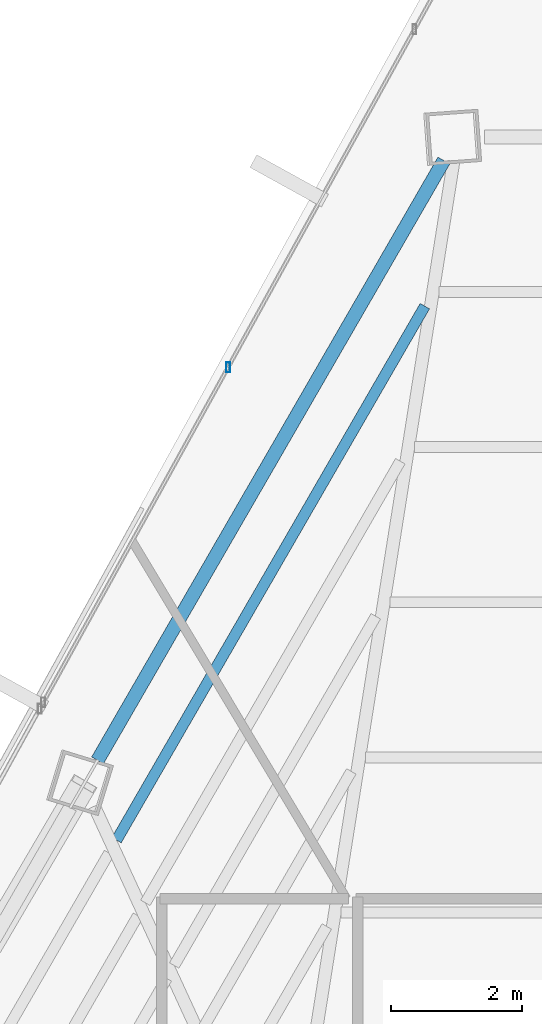
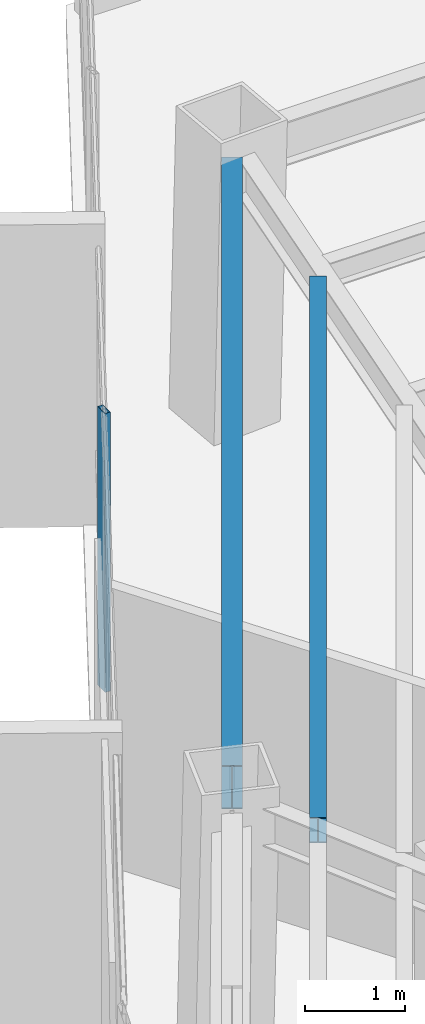
# One storey, part 29 of 41: 2 beams, 1 member, 1 element without a shape of its own.
"""IFC4 building model written with IfcOpenShell, lengths in metres."""

from ifc_helpers import new_model, si_unit, direction, frame, origin, origin_2d, place, context, subcontext, project, spatial, hollow_rectangle, i_section, extrude, source, transform, mapped, material, material_profile, profile_set, type_object, type_shapes, element, aggregate, save


model = new_model("IFC4")

# Units and contexts
model_context = context("Model", 3, precision=1e-05, world=origin(), true_north=direction((0.0, 1.0)))
body_context = subcontext(model_context, "Body", "Model", "MODEL_VIEW")
ifc_project = project(units=[si_unit("LENGTHUNIT", "METRE"), si_unit("AREAUNIT", "SQUARE_METRE"), si_unit("VOLUMEUNIT", "CUBIC_METRE"), si_unit("PLANEANGLEUNIT", "RADIAN"), si_unit("MASSUNIT", "GRAM", prefix="KILO")], contexts=[model_context])

# Site, building, storey
site_placement = place(None, origin())
site = spatial("IfcSite", under=ifc_project, at=site_placement, CompositionType="ELEMENT")
building_placement = place(site_placement, origin())
building = spatial("IfcBuilding", under=site, at=building_placement, Name="Caelisora Broadcast Tower", CompositionType="ELEMENT")
storey_placement = place(building_placement, frame((0.0, 0.0, 209.60009765625)))
storey = spatial("IfcBuildingStorey", under=building, at=storey_placement, Name="L55", CompositionType="ELEMENT", Elevation=209.60009765625)

# Beams
ifc_material_1 = material(Name="Steel Grade 350 (AS/NZS 3679.1)", Category="steel")
ifc_material_profile_1 = material_profile(ifc_material_1, i_section(OverallWidth=0.208984375, OverallDepth=0.532958984375, WebThickness=0.01025390625, FlangeThickness=0.015625, at=origin_2d()), Name="Steel Grade 350 (AS/NZS 3679.1)")
ifc_profile_set_1 = profile_set([ifc_material_profile_1], Name="Steel Grade 350 (AS/NZS 3679.1)")
beam_type_1 = type_object("IfcBeamType", Name="PG05", PredefinedType="BEAM", material=ifc_profile_set_1)
shared_shape_1 = source(origin(), body_context, "Body", "SweptSolid", [
    extrude(i_section(OverallWidth=0.208984375, OverallDepth=0.532958984375, WebThickness=0.01025390625, FlangeThickness=0.015625, at=origin_2d()), origin(), (0.0, 0.0, 1.0), 10.589599609375),
])
type_shapes(beam_type_1, [shared_shape_1])
beam_1_placement = place(storey_placement, frame((32.915283203125, 46.23828125, 3.13330078125), z_axis=(-0.500007166863, -0.866021265955, 0.0), x_axis=(0.866021265955, -0.500007166863, 0.0)))
element("IfcBeam", 1, at=beam_1_placement, inside=storey, type_object=beam_type_1, Name="L55 beam PG05", PredefinedType="BEAM", context=body_context, shape_type="MappedRepresentation", body=[
    mapped(shared_shape_1, transform((0.0, 0.0, 0.0), scale=1.0)),
])
ifc_material_profile_2 = material_profile(ifc_material_1, i_section(OverallWidth=0.166015625, OverallDepth=0.30712890625, WebThickness=0.006591796875, FlangeThickness=0.01171875, at=origin_2d()), Name="Steel Grade 350 (AS/NZS 3679.1)")
ifc_profile_set_2 = profile_set([ifc_material_profile_2], Name="Steel Grade 350 (AS/NZS 3679.1)")
beam_type_2 = type_object("IfcBeamType", Name="SB03", PredefinedType="JOIST", material=ifc_profile_set_2)
shared_shape_2 = source(origin(), body_context, "Body", "SweptSolid", [
    extrude(i_section(OverallWidth=0.166015625, OverallDepth=0.30712890625, WebThickness=0.006591796875, FlangeThickness=0.01171875, at=origin_2d()), origin(), (0.0, 0.0, 1.0), 9.427734375),
])
type_shapes(beam_type_2, [shared_shape_2])
beam_2_placement = place(storey_placement, frame((32.624267578125, 44.012451171875, 3.246337890625), z_axis=(-0.500004900167, -0.866022574653, 0.0), x_axis=(0.866022574653, -0.500004900167, 0.0)))
element("IfcBeam", 2, at=beam_2_placement, inside=storey, type_object=beam_type_2, Name="L55 beam SB03", PredefinedType="JOIST", context=body_context, shape_type="MappedRepresentation", body=[
    mapped(shared_shape_2, transform((0.0, 0.0, 0.0), scale=1.0)),
])

# Curtain wall, member
ifc_material_2 = material(Name="Unitised Aluminium and Low-E Glass Curtain Wall", Category="glass")
curtain_wall_type = type_object("IfcCurtainWallType", Name="CW-Z4", PredefinedType="NOTDEFINED", material=ifc_material_2)
curtain_wall_placement = place(storey_placement, origin())
curtain_wall = element("IfcCurtainWall", 3, at=curtain_wall_placement, inside=storey, type_object=curtain_wall_type, Name="L55 curtain wall CW-Z4", PredefinedType="NOTDEFINED")
ifc_material_3 = material(Name="Aluminium 6063-T6 Anodised Terracotta Bronze", Category="aluminium")
ifc_material_profile_3 = material_profile(ifc_material_3, hollow_rectangle(XDim=0.06005859375, YDim=0.14990234375, WallThickness=0.00341796875, at=origin_2d()), Name="Aluminium 6063-T6 Anodised Terracotta Bronze")
ifc_profile_set_3 = profile_set([ifc_material_profile_3], Name="Aluminium 6063-T6 Anodised Terracotta Bronze")
member_type = type_object("IfcMemberType", Name="CWM-03", PredefinedType="MULLION", material=ifc_profile_set_3)
shared_shape_3 = source(origin(), body_context, "Body", "SweptSolid", [
    extrude(hollow_rectangle(XDim=0.06005859375, YDim=0.14990234375, WallThickness=0.00341796875, at=origin_2d()), origin(), (0.0, 0.0, 1.0), 3.39990234375),
])
type_shapes(member_type, [shared_shape_3])
member_placement = place(storey_placement, frame((29.6162109375, 43.076416015625, 0.0), z_axis=(0.0, 0.0, 1.0), x_axis=(1.0, 0.0, 0.0)))
member = element("IfcMember", 4, at=member_placement, type_object=member_type, Name="L55-CW-B11 mullion #1", PredefinedType="MULLION", context=body_context, shape_type="MappedRepresentation", body=[
    mapped(shared_shape_3, transform((0.0, 0.0, 0.0), scale=1.0)),
])
aggregate(curtain_wall, [member])

save(model, "model.ifc")
